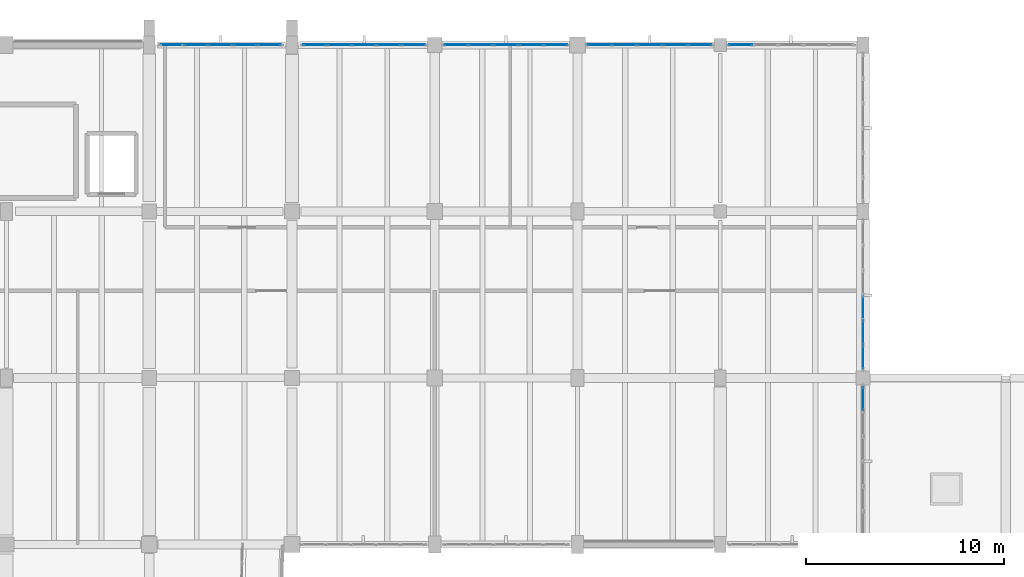
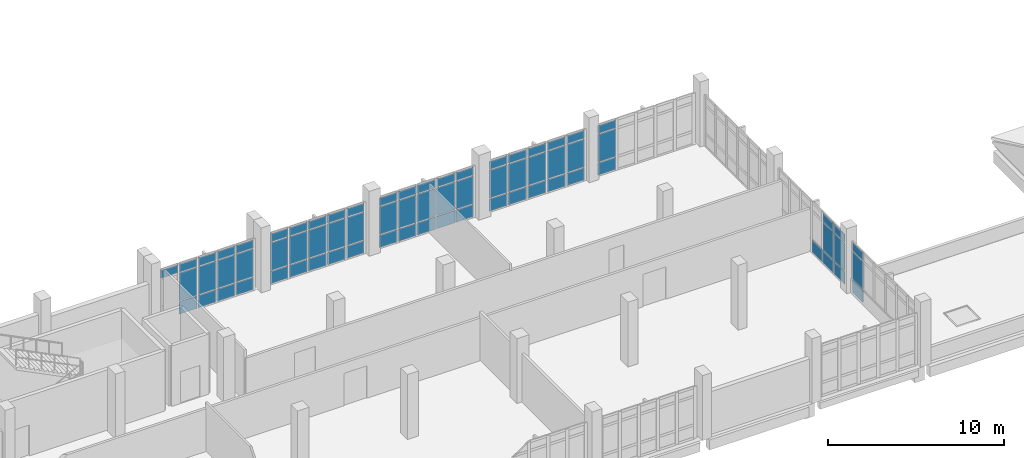
# One storey, part 102 of 124: 71 plates, 7 elements without a shape of their own.
"""IFC4 building model written with IfcOpenShell, lengths in metres."""

from ifc_helpers import new_model, si_unit, direction, frame, origin, origin_2d, place, context, subcontext, project, spatial, rectangle, extrude, material, layer, layer_set, type_object, element, aggregate, save


model = new_model("IFC4")

# Units and contexts
model_context = context("Model", 3, precision=1e-05, world=origin(), true_north=direction((0.0, 1.0)))
body_context = subcontext(model_context, "Body", "Model", "MODEL_VIEW")
ifc_project = project(units=[si_unit("LENGTHUNIT", "METRE"), si_unit("AREAUNIT", "SQUARE_METRE"), si_unit("VOLUMEUNIT", "CUBIC_METRE"), si_unit("PLANEANGLEUNIT", "RADIAN"), si_unit("MASSUNIT", "GRAM", prefix="KILO")], contexts=[model_context])

# Site, building, storey
site_placement = place(None, origin())
site = spatial("IfcSite", under=ifc_project, at=site_placement, CompositionType="ELEMENT")
building_placement = place(site_placement, origin())
building = spatial("IfcBuilding", under=site, at=building_placement, Name="Kalluvel Institute of Natural Sciences", CompositionType="ELEMENT")
storey_placement = place(building_placement, frame((0.0, 0.0, 9.89990234375)))
storey = spatial("IfcBuildingStorey", under=building, at=storey_placement, Name="L02", CompositionType="ELEMENT", Elevation=9.89990234375)

# Curtain wall, plates
ifc_material_1 = material(Name="Aluminium AW-6063 T6", Category="aluminium")
curtain_wall_type = type_object("IfcCurtainWallType", Name="CW-WET-45", PredefinedType="USERDEFINED", material=ifc_material_1)
curtain_wall_1_placement = place(storey_placement, origin())
curtain_wall_1 = element("IfcCurtainWall", 1, at=curtain_wall_1_placement, inside=storey, type_object=curtain_wall_type, Name="L02 Gothic lancet curtain wall CWA-L02-X793-Y1280", ObjectType="UNITISED LANCET FACADE", PredefinedType="USERDEFINED")
ifc_material_2 = material(Name="Solar-Control Low-E Laminated Glass", Category="glass")
ifc_layer = layer(ifc_material_2, 0.0400390625)
ifc_layer_set = layer_set([ifc_layer], Name="Solar-Control Low-E Laminated Glass")
plate_type = type_object("IfcPlateType", Name="CWP-SPN-40", PredefinedType="CURTAIN_PANEL", material=ifc_layer_set)
plate_1_placement = place(storey_placement, frame((79.9375, 128.0, 2.965087890625), z_axis=(0.0, 0.0, 1.0), x_axis=(1.0, 0.0, 0.0)))
plate_1 = element("IfcPlate", 2, at=plate_1_placement, type_object=plate_type, Name="CW-01 panel 1.3", PredefinedType="CURTAIN_PANEL", context=body_context, shape_type="SweptSolid", body=[
    extrude(rectangle(XDim=1.135009765625, YDim=0.0400390625, at=origin_2d()), origin(), (0.0, 0.0, 1.0), 0.544921875),
])
plate_2_placement = place(storey_placement, frame((81.159912109375, 128.0, 0.0703125), z_axis=(0.0, 0.0, 1.0), x_axis=(1.0, 0.0, 0.0)))
plate_2 = element("IfcPlate", 3, at=plate_2_placement, type_object=plate_type, Name="CW-01 panel 2.1", PredefinedType="CURTAIN_PANEL", context=body_context, shape_type="SweptSolid", body=[
    extrude(rectangle(XDim=1.169921875, YDim=0.0400390625, at=origin_2d()), origin(), (0.0, 0.0, 1.0), 0.844970703125),
])
plate_3_placement = place(storey_placement, frame((81.159912109375, 128.0, 0.9853515625), z_axis=(0.0, 0.0, 1.0), x_axis=(1.0, 0.0, 0.0)))
plate_3 = element("IfcPlate", 4, at=plate_3_placement, type_object=plate_type, Name="CW-01 panel 2.2", PredefinedType="CURTAIN_PANEL", context=body_context, shape_type="SweptSolid", body=[
    extrude(rectangle(XDim=1.169921875, YDim=0.0400390625, at=origin_2d()), origin(), (0.0, 0.0, 1.0), 1.909912109375),
])
plate_4_placement = place(storey_placement, frame((81.159912109375, 128.0, 2.965087890625), z_axis=(0.0, 0.0, 1.0), x_axis=(1.0, 0.0, 0.0)))
plate_4 = element("IfcPlate", 5, at=plate_4_placement, type_object=plate_type, Name="CW-01 panel 2.3", PredefinedType="CURTAIN_PANEL", context=body_context, shape_type="SweptSolid", body=[
    extrude(rectangle(XDim=1.169921875, YDim=0.0400390625, at=origin_2d()), origin(), (0.0, 0.0, 1.0), 0.544921875),
])
plate_5_placement = place(storey_placement, frame((82.39990234375, 128.0, 0.0703125), z_axis=(0.0, 0.0, 1.0), x_axis=(1.0, 0.0, 0.0)))
plate_5 = element("IfcPlate", 6, at=plate_5_placement, type_object=plate_type, Name="CW-01 panel 3.1", PredefinedType="CURTAIN_PANEL", context=body_context, shape_type="SweptSolid", body=[
    extrude(rectangle(XDim=1.169921875, YDim=0.0400390625, at=origin_2d()), origin(), (0.0, 0.0, 1.0), 0.844970703125),
])
plate_6_placement = place(storey_placement, frame((82.39990234375, 128.0, 0.9853515625), z_axis=(0.0, 0.0, 1.0), x_axis=(1.0, 0.0, 0.0)))
plate_6 = element("IfcPlate", 7, at=plate_6_placement, type_object=plate_type, Name="CW-01 panel 3.2", PredefinedType="CURTAIN_PANEL", context=body_context, shape_type="SweptSolid", body=[
    extrude(rectangle(XDim=1.169921875, YDim=0.0400390625, at=origin_2d()), origin(), (0.0, 0.0, 1.0), 1.909912109375),
])
plate_7_placement = place(storey_placement, frame((82.39990234375, 128.0, 2.965087890625), z_axis=(0.0, 0.0, 1.0), x_axis=(1.0, 0.0, 0.0)))
plate_7 = element("IfcPlate", 8, at=plate_7_placement, type_object=plate_type, Name="CW-01 panel 3.3", PredefinedType="CURTAIN_PANEL", context=body_context, shape_type="SweptSolid", body=[
    extrude(rectangle(XDim=1.169921875, YDim=0.0400390625, at=origin_2d()), origin(), (0.0, 0.0, 1.0), 0.544921875),
])
plate_8_placement = place(storey_placement, frame((83.639892578125, 128.0, 0.0703125), z_axis=(0.0, 0.0, 1.0), x_axis=(1.0, 0.0, 0.0)))
plate_8 = element("IfcPlate", 9, at=plate_8_placement, type_object=plate_type, Name="CW-01 panel 4.1", PredefinedType="CURTAIN_PANEL", context=body_context, shape_type="SweptSolid", body=[
    extrude(rectangle(XDim=1.169921875, YDim=0.0400390625, at=origin_2d()), origin(), (0.0, 0.0, 1.0), 0.844970703125),
])
plate_9_placement = place(storey_placement, frame((83.639892578125, 128.0, 0.9853515625), z_axis=(0.0, 0.0, 1.0), x_axis=(1.0, 0.0, 0.0)))
plate_9 = element("IfcPlate", 10, at=plate_9_placement, type_object=plate_type, Name="CW-01 panel 4.2", PredefinedType="CURTAIN_PANEL", context=body_context, shape_type="SweptSolid", body=[
    extrude(rectangle(XDim=1.169921875, YDim=0.0400390625, at=origin_2d()), origin(), (0.0, 0.0, 1.0), 1.909912109375),
])
plate_10_placement = place(storey_placement, frame((83.639892578125, 128.0, 2.965087890625), z_axis=(0.0, 0.0, 1.0), x_axis=(1.0, 0.0, 0.0)))
plate_10 = element("IfcPlate", 11, at=plate_10_placement, type_object=plate_type, Name="CW-01 panel 4.3", PredefinedType="CURTAIN_PANEL", context=body_context, shape_type="SweptSolid", body=[
    extrude(rectangle(XDim=1.169921875, YDim=0.0400390625, at=origin_2d()), origin(), (0.0, 0.0, 1.0), 0.544921875),
])
plate_11_placement = place(storey_placement, frame((84.862548828125, 128.0, 0.0703125), z_axis=(0.0, 0.0, 1.0), x_axis=(1.0, 0.0, 0.0)))
plate_11 = element("IfcPlate", 12, at=plate_11_placement, type_object=plate_type, Name="CW-01 panel 5.1", PredefinedType="CURTAIN_PANEL", context=body_context, shape_type="SweptSolid", body=[
    extrude(rectangle(XDim=1.135009765625, YDim=0.0400390625, at=origin_2d()), origin(), (0.0, 0.0, 1.0), 0.844970703125),
])
plate_12_placement = place(storey_placement, frame((84.862548828125, 128.0, 0.9853515625), z_axis=(0.0, 0.0, 1.0), x_axis=(1.0, 0.0, 0.0)))
plate_12 = element("IfcPlate", 13, at=plate_12_placement, type_object=plate_type, Name="CW-01 panel 5.2", PredefinedType="CURTAIN_PANEL", context=body_context, shape_type="SweptSolid", body=[
    extrude(rectangle(XDim=1.135009765625, YDim=0.0400390625, at=origin_2d()), origin(), (0.0, 0.0, 1.0), 1.909912109375),
])
plate_13_placement = place(storey_placement, frame((84.862548828125, 128.0, 2.965087890625), z_axis=(0.0, 0.0, 1.0), x_axis=(1.0, 0.0, 0.0)))
plate_13 = element("IfcPlate", 14, at=plate_13_placement, type_object=plate_type, Name="CW-01 panel 5.3", PredefinedType="CURTAIN_PANEL", context=body_context, shape_type="SweptSolid", body=[
    extrude(rectangle(XDim=1.135009765625, YDim=0.0400390625, at=origin_2d()), origin(), (0.0, 0.0, 1.0), 0.544921875),
])
aggregate(curtain_wall_1, [plate_1, plate_2, plate_3, plate_4, plate_5, plate_6, plate_7, plate_8, plate_9, plate_10, plate_11, plate_12, plate_13])

curtain_wall_2_placement = place(storey_placement, origin())
curtain_wall_2 = element("IfcCurtainWall", 15, at=curtain_wall_2_placement, inside=storey, type_object=curtain_wall_type, Name="L02 Gothic lancet curtain wall CWA-L02-X865-Y1280", ObjectType="UNITISED LANCET FACADE", PredefinedType="USERDEFINED")
plate_14_placement = place(storey_placement, frame((87.14501953125, 128.0, 0.0703125), z_axis=(0.0, 0.0, 1.0), x_axis=(1.0, 0.0, 0.0)))
plate_14 = element("IfcPlate", 16, at=plate_14_placement, type_object=plate_type, Name="CW-01 panel 1.1", PredefinedType="CURTAIN_PANEL", context=body_context, shape_type="SweptSolid", body=[
    extrude(rectangle(XDim=1.14990234375, YDim=0.0400390625, at=origin_2d()), origin(), (0.0, 0.0, 1.0), 0.844970703125),
])
plate_15_placement = place(storey_placement, frame((87.14501953125, 128.0, 0.9853515625), z_axis=(0.0, 0.0, 1.0), x_axis=(1.0, 0.0, 0.0)))
plate_15 = element("IfcPlate", 17, at=plate_15_placement, type_object=plate_type, Name="CW-01 panel 1.2", PredefinedType="CURTAIN_PANEL", context=body_context, shape_type="SweptSolid", body=[
    extrude(rectangle(XDim=1.14990234375, YDim=0.0400390625, at=origin_2d()), origin(), (0.0, 0.0, 1.0), 1.909912109375),
])
plate_16_placement = place(storey_placement, frame((87.14501953125, 128.0, 2.965087890625), z_axis=(0.0, 0.0, 1.0), x_axis=(1.0, 0.0, 0.0)))
plate_16 = element("IfcPlate", 18, at=plate_16_placement, type_object=plate_type, Name="CW-01 panel 1.3", PredefinedType="CURTAIN_PANEL", context=body_context, shape_type="SweptSolid", body=[
    extrude(rectangle(XDim=1.14990234375, YDim=0.0400390625, at=origin_2d()), origin(), (0.0, 0.0, 1.0), 0.544921875),
])
plate_17_placement = place(storey_placement, frame((88.382568359375, 128.0, 0.0703125), z_axis=(0.0, 0.0, 1.0), x_axis=(1.0, 0.0, 0.0)))
plate_17 = element("IfcPlate", 19, at=plate_17_placement, type_object=plate_type, Name="CW-01 panel 2.1", PredefinedType="CURTAIN_PANEL", context=body_context, shape_type="SweptSolid", body=[
    extrude(rectangle(XDim=1.18505859375, YDim=0.0400390625, at=origin_2d()), origin(), (0.0, 0.0, 1.0), 0.844970703125),
])
plate_18_placement = place(storey_placement, frame((88.382568359375, 128.0, 0.9853515625), z_axis=(0.0, 0.0, 1.0), x_axis=(1.0, 0.0, 0.0)))
plate_18 = element("IfcPlate", 20, at=plate_18_placement, type_object=plate_type, Name="CW-01 panel 2.2", PredefinedType="CURTAIN_PANEL", context=body_context, shape_type="SweptSolid", body=[
    extrude(rectangle(XDim=1.18505859375, YDim=0.0400390625, at=origin_2d()), origin(), (0.0, 0.0, 1.0), 1.909912109375),
])
plate_19_placement = place(storey_placement, frame((88.382568359375, 128.0, 2.965087890625), z_axis=(0.0, 0.0, 1.0), x_axis=(1.0, 0.0, 0.0)))
plate_19 = element("IfcPlate", 21, at=plate_19_placement, type_object=plate_type, Name="CW-01 panel 2.3", PredefinedType="CURTAIN_PANEL", context=body_context, shape_type="SweptSolid", body=[
    extrude(rectangle(XDim=1.18505859375, YDim=0.0400390625, at=origin_2d()), origin(), (0.0, 0.0, 1.0), 0.544921875),
])
plate_20_placement = place(storey_placement, frame((89.637451171875, 128.0, 0.0703125), z_axis=(0.0, 0.0, 1.0), x_axis=(1.0, 0.0, 0.0)))
plate_20 = element("IfcPlate", 22, at=plate_20_placement, type_object=plate_type, Name="CW-01 panel 3.1", PredefinedType="CURTAIN_PANEL", context=body_context, shape_type="SweptSolid", body=[
    extrude(rectangle(XDim=1.18505859375, YDim=0.0400390625, at=origin_2d()), origin(), (0.0, 0.0, 1.0), 0.844970703125),
])
plate_21_placement = place(storey_placement, frame((89.637451171875, 128.0, 0.9853515625), z_axis=(0.0, 0.0, 1.0), x_axis=(1.0, 0.0, 0.0)))
plate_21 = element("IfcPlate", 23, at=plate_21_placement, type_object=plate_type, Name="CW-01 panel 3.2", PredefinedType="CURTAIN_PANEL", context=body_context, shape_type="SweptSolid", body=[
    extrude(rectangle(XDim=1.18505859375, YDim=0.0400390625, at=origin_2d()), origin(), (0.0, 0.0, 1.0), 1.909912109375),
])
plate_22_placement = place(storey_placement, frame((89.637451171875, 128.0, 2.965087890625), z_axis=(0.0, 0.0, 1.0), x_axis=(1.0, 0.0, 0.0)))
plate_22 = element("IfcPlate", 24, at=plate_22_placement, type_object=plate_type, Name="CW-01 panel 3.3", PredefinedType="CURTAIN_PANEL", context=body_context, shape_type="SweptSolid", body=[
    extrude(rectangle(XDim=1.18505859375, YDim=0.0400390625, at=origin_2d()), origin(), (0.0, 0.0, 1.0), 0.544921875),
])
plate_23_placement = place(storey_placement, frame((90.892578125, 128.0, 0.0703125), z_axis=(0.0, 0.0, 1.0), x_axis=(1.0, 0.0, 0.0)))
plate_23 = element("IfcPlate", 25, at=plate_23_placement, type_object=plate_type, Name="CW-01 panel 4.1", PredefinedType="CURTAIN_PANEL", context=body_context, shape_type="SweptSolid", body=[
    extrude(rectangle(XDim=1.18505859375, YDim=0.0400390625, at=origin_2d()), origin(), (0.0, 0.0, 1.0), 0.844970703125),
])
plate_24_placement = place(storey_placement, frame((90.892578125, 128.0, 0.9853515625), z_axis=(0.0, 0.0, 1.0), x_axis=(1.0, 0.0, 0.0)))
plate_24 = element("IfcPlate", 26, at=plate_24_placement, type_object=plate_type, Name="CW-01 panel 4.2", PredefinedType="CURTAIN_PANEL", context=body_context, shape_type="SweptSolid", body=[
    extrude(rectangle(XDim=1.18505859375, YDim=0.0400390625, at=origin_2d()), origin(), (0.0, 0.0, 1.0), 1.909912109375),
])
plate_25_placement = place(storey_placement, frame((90.892578125, 128.0, 2.965087890625), z_axis=(0.0, 0.0, 1.0), x_axis=(1.0, 0.0, 0.0)))
plate_25 = element("IfcPlate", 27, at=plate_25_placement, type_object=plate_type, Name="CW-01 panel 4.3", PredefinedType="CURTAIN_PANEL", context=body_context, shape_type="SweptSolid", body=[
    extrude(rectangle(XDim=1.18505859375, YDim=0.0400390625, at=origin_2d()), origin(), (0.0, 0.0, 1.0), 0.544921875),
])
plate_26_placement = place(storey_placement, frame((92.1298828125, 128.0, 0.0703125), z_axis=(0.0, 0.0, 1.0), x_axis=(1.0, 0.0, 0.0)))
plate_26 = element("IfcPlate", 28, at=plate_26_placement, type_object=plate_type, Name="CW-01 panel 5.1", PredefinedType="CURTAIN_PANEL", context=body_context, shape_type="SweptSolid", body=[
    extrude(rectangle(XDim=1.14990234375, YDim=0.0400390625, at=origin_2d()), origin(), (0.0, 0.0, 1.0), 0.844970703125),
])
plate_27_placement = place(storey_placement, frame((92.1298828125, 128.0, 0.9853515625), z_axis=(0.0, 0.0, 1.0), x_axis=(1.0, 0.0, 0.0)))
plate_27 = element("IfcPlate", 29, at=plate_27_placement, type_object=plate_type, Name="CW-01 panel 5.2", PredefinedType="CURTAIN_PANEL", context=body_context, shape_type="SweptSolid", body=[
    extrude(rectangle(XDim=1.14990234375, YDim=0.0400390625, at=origin_2d()), origin(), (0.0, 0.0, 1.0), 1.909912109375),
])
plate_28_placement = place(storey_placement, frame((92.1298828125, 128.0, 2.965087890625), z_axis=(0.0, 0.0, 1.0), x_axis=(1.0, 0.0, 0.0)))
plate_28 = element("IfcPlate", 30, at=plate_28_placement, type_object=plate_type, Name="CW-01 panel 5.3", PredefinedType="CURTAIN_PANEL", context=body_context, shape_type="SweptSolid", body=[
    extrude(rectangle(XDim=1.14990234375, YDim=0.0400390625, at=origin_2d()), origin(), (0.0, 0.0, 1.0), 0.544921875),
])
aggregate(curtain_wall_2, [plate_14, plate_15, plate_16, plate_17, plate_18, plate_19, plate_20, plate_21, plate_22, plate_23, plate_24, plate_25, plate_26, plate_27, plate_28])

curtain_wall_3_placement = place(storey_placement, origin())
curtain_wall_3 = element("IfcCurtainWall", 31, at=curtain_wall_3_placement, inside=storey, type_object=curtain_wall_type, Name="L02 Gothic lancet curtain wall CWA-L02-X936-Y1280", ObjectType="UNITISED LANCET FACADE", PredefinedType="USERDEFINED")
plate_29_placement = place(storey_placement, frame((94.27490234375, 128.0, 0.0703125), z_axis=(0.0, 0.0, 1.0), x_axis=(1.0, 0.0, 0.0)))
plate_29 = element("IfcPlate", 32, at=plate_29_placement, type_object=plate_type, Name="CW-01 panel 1.1", PredefinedType="CURTAIN_PANEL", context=body_context, shape_type="SweptSolid", body=[
    extrude(rectangle(XDim=1.159912109375, YDim=0.0400390625, at=origin_2d()), origin(), (0.0, 0.0, 1.0), 0.844970703125),
])
plate_30_placement = place(storey_placement, frame((94.27490234375, 128.0, 0.9853515625), z_axis=(0.0, 0.0, 1.0), x_axis=(1.0, 0.0, 0.0)))
plate_30 = element("IfcPlate", 33, at=plate_30_placement, type_object=plate_type, Name="CW-01 panel 1.2", PredefinedType="CURTAIN_PANEL", context=body_context, shape_type="SweptSolid", body=[
    extrude(rectangle(XDim=1.159912109375, YDim=0.0400390625, at=origin_2d()), origin(), (0.0, 0.0, 1.0), 1.909912109375),
])
plate_31_placement = place(storey_placement, frame((94.27490234375, 128.0, 2.965087890625), z_axis=(0.0, 0.0, 1.0), x_axis=(1.0, 0.0, 0.0)))
plate_31 = element("IfcPlate", 34, at=plate_31_placement, type_object=plate_type, Name="CW-01 panel 1.3", PredefinedType="CURTAIN_PANEL", context=body_context, shape_type="SweptSolid", body=[
    extrude(rectangle(XDim=1.159912109375, YDim=0.0400390625, at=origin_2d()), origin(), (0.0, 0.0, 1.0), 0.544921875),
])
plate_32_placement = place(storey_placement, frame((95.5224609375, 128.0, 0.0703125), z_axis=(0.0, 0.0, 1.0), x_axis=(1.0, 0.0, 0.0)))
plate_32 = element("IfcPlate", 35, at=plate_32_placement, type_object=plate_type, Name="CW-01 panel 2.1", PredefinedType="CURTAIN_PANEL", context=body_context, shape_type="SweptSolid", body=[
    extrude(rectangle(XDim=1.195068359375, YDim=0.0400390625, at=origin_2d()), origin(), (0.0, 0.0, 1.0), 0.844970703125),
])
plate_33_placement = place(storey_placement, frame((95.5224609375, 128.0, 0.9853515625), z_axis=(0.0, 0.0, 1.0), x_axis=(1.0, 0.0, 0.0)))
plate_33 = element("IfcPlate", 36, at=plate_33_placement, type_object=plate_type, Name="CW-01 panel 2.2", PredefinedType="CURTAIN_PANEL", context=body_context, shape_type="SweptSolid", body=[
    extrude(rectangle(XDim=1.195068359375, YDim=0.0400390625, at=origin_2d()), origin(), (0.0, 0.0, 1.0), 1.909912109375),
])
plate_34_placement = place(storey_placement, frame((95.5224609375, 128.0, 2.965087890625), z_axis=(0.0, 0.0, 1.0), x_axis=(1.0, 0.0, 0.0)))
plate_34 = element("IfcPlate", 37, at=plate_34_placement, type_object=plate_type, Name="CW-01 panel 2.3", PredefinedType="CURTAIN_PANEL", context=body_context, shape_type="SweptSolid", body=[
    extrude(rectangle(XDim=1.195068359375, YDim=0.0400390625, at=origin_2d()), origin(), (0.0, 0.0, 1.0), 0.544921875),
])
plate_35_placement = place(storey_placement, frame((96.78759765625, 128.0, 0.0703125), z_axis=(0.0, 0.0, 1.0), x_axis=(1.0, 0.0, 0.0)))
plate_35 = element("IfcPlate", 38, at=plate_35_placement, type_object=plate_type, Name="CW-01 panel 3.1", PredefinedType="CURTAIN_PANEL", context=body_context, shape_type="SweptSolid", body=[
    extrude(rectangle(XDim=1.195068359375, YDim=0.0400390625, at=origin_2d()), origin(), (0.0, 0.0, 1.0), 0.844970703125),
])
plate_36_placement = place(storey_placement, frame((96.78759765625, 128.0, 0.9853515625), z_axis=(0.0, 0.0, 1.0), x_axis=(1.0, 0.0, 0.0)))
plate_36 = element("IfcPlate", 39, at=plate_36_placement, type_object=plate_type, Name="CW-01 panel 3.2", PredefinedType="CURTAIN_PANEL", context=body_context, shape_type="SweptSolid", body=[
    extrude(rectangle(XDim=1.195068359375, YDim=0.0400390625, at=origin_2d()), origin(), (0.0, 0.0, 1.0), 1.909912109375),
])
plate_37_placement = place(storey_placement, frame((96.78759765625, 128.0, 2.965087890625), z_axis=(0.0, 0.0, 1.0), x_axis=(1.0, 0.0, 0.0)))
plate_37 = element("IfcPlate", 40, at=plate_37_placement, type_object=plate_type, Name="CW-01 panel 3.3", PredefinedType="CURTAIN_PANEL", context=body_context, shape_type="SweptSolid", body=[
    extrude(rectangle(XDim=1.195068359375, YDim=0.0400390625, at=origin_2d()), origin(), (0.0, 0.0, 1.0), 0.544921875),
])
plate_38_placement = place(storey_placement, frame((98.052490234375, 128.0, 0.0703125), z_axis=(0.0, 0.0, 1.0), x_axis=(1.0, 0.0, 0.0)))
plate_38 = element("IfcPlate", 41, at=plate_38_placement, type_object=plate_type, Name="CW-01 panel 4.1", PredefinedType="CURTAIN_PANEL", context=body_context, shape_type="SweptSolid", body=[
    extrude(rectangle(XDim=1.195068359375, YDim=0.0400390625, at=origin_2d()), origin(), (0.0, 0.0, 1.0), 0.844970703125),
])
plate_39_placement = place(storey_placement, frame((98.052490234375, 128.0, 0.9853515625), z_axis=(0.0, 0.0, 1.0), x_axis=(1.0, 0.0, 0.0)))
plate_39 = element("IfcPlate", 42, at=plate_39_placement, type_object=plate_type, Name="CW-01 panel 4.2", PredefinedType="CURTAIN_PANEL", context=body_context, shape_type="SweptSolid", body=[
    extrude(rectangle(XDim=1.195068359375, YDim=0.0400390625, at=origin_2d()), origin(), (0.0, 0.0, 1.0), 1.909912109375),
])
plate_40_placement = place(storey_placement, frame((98.052490234375, 128.0, 2.965087890625), z_axis=(0.0, 0.0, 1.0), x_axis=(1.0, 0.0, 0.0)))
plate_40 = element("IfcPlate", 43, at=plate_40_placement, type_object=plate_type, Name="CW-01 panel 4.3", PredefinedType="CURTAIN_PANEL", context=body_context, shape_type="SweptSolid", body=[
    extrude(rectangle(XDim=1.195068359375, YDim=0.0400390625, at=origin_2d()), origin(), (0.0, 0.0, 1.0), 0.544921875),
])
plate_41_placement = place(storey_placement, frame((99.300048828125, 128.0, 0.0703125), z_axis=(0.0, 0.0, 1.0), x_axis=(1.0, 0.0, 0.0)))
plate_41 = element("IfcPlate", 44, at=plate_41_placement, type_object=plate_type, Name="CW-01 panel 5.1", PredefinedType="CURTAIN_PANEL", context=body_context, shape_type="SweptSolid", body=[
    extrude(rectangle(XDim=1.159912109375, YDim=0.0400390625, at=origin_2d()), origin(), (0.0, 0.0, 1.0), 0.844970703125),
])
plate_42_placement = place(storey_placement, frame((99.300048828125, 128.0, 0.9853515625), z_axis=(0.0, 0.0, 1.0), x_axis=(1.0, 0.0, 0.0)))
plate_42 = element("IfcPlate", 45, at=plate_42_placement, type_object=plate_type, Name="CW-01 panel 5.2", PredefinedType="CURTAIN_PANEL", context=body_context, shape_type="SweptSolid", body=[
    extrude(rectangle(XDim=1.159912109375, YDim=0.0400390625, at=origin_2d()), origin(), (0.0, 0.0, 1.0), 1.909912109375),
])
plate_43_placement = place(storey_placement, frame((99.300048828125, 128.0, 2.965087890625), z_axis=(0.0, 0.0, 1.0), x_axis=(1.0, 0.0, 0.0)))
plate_43 = element("IfcPlate", 46, at=plate_43_placement, type_object=plate_type, Name="CW-01 panel 5.3", PredefinedType="CURTAIN_PANEL", context=body_context, shape_type="SweptSolid", body=[
    extrude(rectangle(XDim=1.159912109375, YDim=0.0400390625, at=origin_2d()), origin(), (0.0, 0.0, 1.0), 0.544921875),
])
aggregate(curtain_wall_3, [plate_29, plate_30, plate_31, plate_32, plate_33, plate_34, plate_35, plate_36, plate_37, plate_38, plate_39, plate_40, plate_41, plate_42, plate_43])

curtain_wall_4_placement = place(storey_placement, origin())
curtain_wall_4 = element("IfcCurtainWall", 47, at=curtain_wall_4_placement, inside=storey, type_object=curtain_wall_type, Name="L02 Gothic lancet curtain wall CWA-L02-X1008-Y1280", ObjectType="UNITISED LANCET FACADE", PredefinedType="USERDEFINED")
plate_44_placement = place(storey_placement, frame((101.5048828125, 128.0, 0.0703125), z_axis=(0.0, 0.0, 1.0), x_axis=(1.0, 0.0, 0.0)))
plate_44 = element("IfcPlate", 48, at=plate_44_placement, type_object=plate_type, Name="CW-01 panel 1.1", PredefinedType="CURTAIN_PANEL", context=body_context, shape_type="SweptSolid", body=[
    extrude(rectangle(XDim=1.169921875, YDim=0.0400390625, at=origin_2d()), origin(), (0.0, 0.0, 1.0), 0.844970703125),
])
plate_45_placement = place(storey_placement, frame((101.5048828125, 128.0, 0.9853515625), z_axis=(0.0, 0.0, 1.0), x_axis=(1.0, 0.0, 0.0)))
plate_45 = element("IfcPlate", 49, at=plate_45_placement, type_object=plate_type, Name="CW-01 panel 1.2", PredefinedType="CURTAIN_PANEL", context=body_context, shape_type="SweptSolid", body=[
    extrude(rectangle(XDim=1.169921875, YDim=0.0400390625, at=origin_2d()), origin(), (0.0, 0.0, 1.0), 1.909912109375),
])
plate_46_placement = place(storey_placement, frame((101.5048828125, 128.0, 2.965087890625), z_axis=(0.0, 0.0, 1.0), x_axis=(1.0, 0.0, 0.0)))
plate_46 = element("IfcPlate", 50, at=plate_46_placement, type_object=plate_type, Name="CW-01 panel 1.3", PredefinedType="CURTAIN_PANEL", context=body_context, shape_type="SweptSolid", body=[
    extrude(rectangle(XDim=1.169921875, YDim=0.0400390625, at=origin_2d()), origin(), (0.0, 0.0, 1.0), 0.544921875),
])
plate_47_placement = place(storey_placement, frame((102.762451171875, 128.0, 0.0703125), z_axis=(0.0, 0.0, 1.0), x_axis=(1.0, 0.0, 0.0)))
plate_47 = element("IfcPlate", 51, at=plate_47_placement, type_object=plate_type, Name="CW-01 panel 2.1", PredefinedType="CURTAIN_PANEL", context=body_context, shape_type="SweptSolid", body=[
    extrude(rectangle(XDim=1.205078125, YDim=0.0400390625, at=origin_2d()), origin(), (0.0, 0.0, 1.0), 0.844970703125),
])
plate_48_placement = place(storey_placement, frame((102.762451171875, 128.0, 0.9853515625), z_axis=(0.0, 0.0, 1.0), x_axis=(1.0, 0.0, 0.0)))
plate_48 = element("IfcPlate", 52, at=plate_48_placement, type_object=plate_type, Name="CW-01 panel 2.2", PredefinedType="CURTAIN_PANEL", context=body_context, shape_type="SweptSolid", body=[
    extrude(rectangle(XDim=1.205078125, YDim=0.0400390625, at=origin_2d()), origin(), (0.0, 0.0, 1.0), 1.909912109375),
])
plate_49_placement = place(storey_placement, frame((102.762451171875, 128.0, 2.965087890625), z_axis=(0.0, 0.0, 1.0), x_axis=(1.0, 0.0, 0.0)))
plate_49 = element("IfcPlate", 53, at=plate_49_placement, type_object=plate_type, Name="CW-01 panel 2.3", PredefinedType="CURTAIN_PANEL", context=body_context, shape_type="SweptSolid", body=[
    extrude(rectangle(XDim=1.205078125, YDim=0.0400390625, at=origin_2d()), origin(), (0.0, 0.0, 1.0), 0.544921875),
])
plate_50_placement = place(storey_placement, frame((104.03759765625, 128.0, 0.0703125), z_axis=(0.0, 0.0, 1.0), x_axis=(1.0, 0.0, 0.0)))
plate_50 = element("IfcPlate", 54, at=plate_50_placement, type_object=plate_type, Name="CW-01 panel 3.1", PredefinedType="CURTAIN_PANEL", context=body_context, shape_type="SweptSolid", body=[
    extrude(rectangle(XDim=1.205078125, YDim=0.0400390625, at=origin_2d()), origin(), (0.0, 0.0, 1.0), 0.844970703125),
])
plate_51_placement = place(storey_placement, frame((104.03759765625, 128.0, 0.9853515625), z_axis=(0.0, 0.0, 1.0), x_axis=(1.0, 0.0, 0.0)))
plate_51 = element("IfcPlate", 55, at=plate_51_placement, type_object=plate_type, Name="CW-01 panel 3.2", PredefinedType="CURTAIN_PANEL", context=body_context, shape_type="SweptSolid", body=[
    extrude(rectangle(XDim=1.205078125, YDim=0.0400390625, at=origin_2d()), origin(), (0.0, 0.0, 1.0), 1.909912109375),
])
plate_52_placement = place(storey_placement, frame((104.03759765625, 128.0, 2.965087890625), z_axis=(0.0, 0.0, 1.0), x_axis=(1.0, 0.0, 0.0)))
plate_52 = element("IfcPlate", 56, at=plate_52_placement, type_object=plate_type, Name="CW-01 panel 3.3", PredefinedType="CURTAIN_PANEL", context=body_context, shape_type="SweptSolid", body=[
    extrude(rectangle(XDim=1.205078125, YDim=0.0400390625, at=origin_2d()), origin(), (0.0, 0.0, 1.0), 0.544921875),
])
plate_53_placement = place(storey_placement, frame((105.3125, 128.0, 0.0703125), z_axis=(0.0, 0.0, 1.0), x_axis=(1.0, 0.0, 0.0)))
plate_53 = element("IfcPlate", 57, at=plate_53_placement, type_object=plate_type, Name="CW-01 panel 4.1", PredefinedType="CURTAIN_PANEL", context=body_context, shape_type="SweptSolid", body=[
    extrude(rectangle(XDim=1.205078125, YDim=0.0400390625, at=origin_2d()), origin(), (0.0, 0.0, 1.0), 0.844970703125),
])
plate_54_placement = place(storey_placement, frame((105.3125, 128.0, 0.9853515625), z_axis=(0.0, 0.0, 1.0), x_axis=(1.0, 0.0, 0.0)))
plate_54 = element("IfcPlate", 58, at=plate_54_placement, type_object=plate_type, Name="CW-01 panel 4.2", PredefinedType="CURTAIN_PANEL", context=body_context, shape_type="SweptSolid", body=[
    extrude(rectangle(XDim=1.205078125, YDim=0.0400390625, at=origin_2d()), origin(), (0.0, 0.0, 1.0), 1.909912109375),
])
plate_55_placement = place(storey_placement, frame((105.3125, 128.0, 2.965087890625), z_axis=(0.0, 0.0, 1.0), x_axis=(1.0, 0.0, 0.0)))
plate_55 = element("IfcPlate", 59, at=plate_55_placement, type_object=plate_type, Name="CW-01 panel 4.3", PredefinedType="CURTAIN_PANEL", context=body_context, shape_type="SweptSolid", body=[
    extrude(rectangle(XDim=1.205078125, YDim=0.0400390625, at=origin_2d()), origin(), (0.0, 0.0, 1.0), 0.544921875),
])
plate_56_placement = place(storey_placement, frame((106.570068359375, 128.0, 0.0703125), z_axis=(0.0, 0.0, 1.0), x_axis=(1.0, 0.0, 0.0)))
plate_56 = element("IfcPlate", 60, at=plate_56_placement, type_object=plate_type, Name="CW-01 panel 5.1", PredefinedType="CURTAIN_PANEL", context=body_context, shape_type="SweptSolid", body=[
    extrude(rectangle(XDim=1.169921875, YDim=0.0400390625, at=origin_2d()), origin(), (0.0, 0.0, 1.0), 0.844970703125),
])
plate_57_placement = place(storey_placement, frame((106.570068359375, 128.0, 0.9853515625), z_axis=(0.0, 0.0, 1.0), x_axis=(1.0, 0.0, 0.0)))
plate_57 = element("IfcPlate", 61, at=plate_57_placement, type_object=plate_type, Name="CW-01 panel 5.2", PredefinedType="CURTAIN_PANEL", context=body_context, shape_type="SweptSolid", body=[
    extrude(rectangle(XDim=1.169921875, YDim=0.0400390625, at=origin_2d()), origin(), (0.0, 0.0, 1.0), 1.909912109375),
])
plate_58_placement = place(storey_placement, frame((106.570068359375, 128.0, 2.965087890625), z_axis=(0.0, 0.0, 1.0), x_axis=(1.0, 0.0, 0.0)))
plate_58 = element("IfcPlate", 62, at=plate_58_placement, type_object=plate_type, Name="CW-01 panel 5.3", PredefinedType="CURTAIN_PANEL", context=body_context, shape_type="SweptSolid", body=[
    extrude(rectangle(XDim=1.169921875, YDim=0.0400390625, at=origin_2d()), origin(), (0.0, 0.0, 1.0), 0.544921875),
])
aggregate(curtain_wall_4, [plate_44, plate_45, plate_46, plate_47, plate_48, plate_49, plate_50, plate_51, plate_52, plate_53, plate_54, plate_55, plate_56, plate_57, plate_58])

curtain_wall_5_placement = place(storey_placement, origin())
curtain_wall_5 = element("IfcCurtainWall", 63, at=curtain_wall_5_placement, inside=storey, type_object=curtain_wall_type, Name="L02 Gothic lancet curtain wall CWA-L02-X1080-Y1280", ObjectType="UNITISED LANCET FACADE", PredefinedType="USERDEFINED")
plate_59_placement = place(storey_placement, frame((108.6298828125, 128.0, 0.0703125), z_axis=(0.0, 0.0, 1.0), x_axis=(1.0, 0.0, 0.0)))
plate_59 = element("IfcPlate", 64, at=plate_59_placement, type_object=plate_type, Name="CW-01 panel 1.1", PredefinedType="CURTAIN_PANEL", context=body_context, shape_type="SweptSolid", body=[
    extrude(rectangle(XDim=1.169921875, YDim=0.0400390625, at=origin_2d()), origin(), (0.0, 0.0, 1.0), 0.844970703125),
])
plate_60_placement = place(storey_placement, frame((108.6298828125, 128.0, 0.9853515625), z_axis=(0.0, 0.0, 1.0), x_axis=(1.0, 0.0, 0.0)))
plate_60 = element("IfcPlate", 65, at=plate_60_placement, type_object=plate_type, Name="CW-01 panel 1.2", PredefinedType="CURTAIN_PANEL", context=body_context, shape_type="SweptSolid", body=[
    extrude(rectangle(XDim=1.169921875, YDim=0.0400390625, at=origin_2d()), origin(), (0.0, 0.0, 1.0), 1.909912109375),
])
plate_61_placement = place(storey_placement, frame((108.6298828125, 128.0, 2.965087890625), z_axis=(0.0, 0.0, 1.0), x_axis=(1.0, 0.0, 0.0)))
plate_61 = element("IfcPlate", 66, at=plate_61_placement, type_object=plate_type, Name="CW-01 panel 1.3", PredefinedType="CURTAIN_PANEL", context=body_context, shape_type="SweptSolid", body=[
    extrude(rectangle(XDim=1.169921875, YDim=0.0400390625, at=origin_2d()), origin(), (0.0, 0.0, 1.0), 0.544921875),
])
aggregate(curtain_wall_5, [plate_59, plate_60, plate_61])

curtain_wall_6_placement = place(storey_placement, origin())
curtain_wall_6 = element("IfcCurtainWall", 67, at=curtain_wall_6_placement, inside=storey, type_object=curtain_wall_type, Name="L02 Gothic lancet curtain wall CWA-L02-X1148-Y1032", ObjectType="UNITISED LANCET FACADE", PredefinedType="USERDEFINED")
plate_62_placement = place(storey_placement, frame((114.800048828125, 110.149169921875, 0.0703125), z_axis=(0.0, 0.0, 1.0), x_axis=(0.0, 1.0, 0.0)))
plate_62 = element("IfcPlate", 68, at=plate_62_placement, type_object=plate_type, Name="CW-01 panel 6.1", PredefinedType="CURTAIN_PANEL", context=body_context, shape_type="SweptSolid", body=[
    extrude(rectangle(XDim=1.16162109375, YDim=0.0400390625, at=origin_2d()), origin(), (0.0, 0.0, 1.0), 0.844970703125),
])
plate_63_placement = place(storey_placement, frame((114.800048828125, 110.149169921875, 0.9853515625), z_axis=(0.0, 0.0, 1.0), x_axis=(0.0, 1.0, 0.0)))
plate_63 = element("IfcPlate", 69, at=plate_63_placement, type_object=plate_type, Name="CW-01 panel 6.2", PredefinedType="CURTAIN_PANEL", context=body_context, shape_type="SweptSolid", body=[
    extrude(rectangle(XDim=1.16162109375, YDim=0.0400390625, at=origin_2d()), origin(), (0.0, 0.0, 1.0), 1.909912109375),
])
plate_64_placement = place(storey_placement, frame((114.800048828125, 110.149169921875, 2.965087890625), z_axis=(0.0, 0.0, 1.0), x_axis=(0.0, 1.0, 0.0)))
plate_64 = element("IfcPlate", 70, at=plate_64_placement, type_object=plate_type, Name="CW-01 panel 6.3", PredefinedType="CURTAIN_PANEL", context=body_context, shape_type="SweptSolid", body=[
    extrude(rectangle(XDim=1.16162109375, YDim=0.0400390625, at=origin_2d()), origin(), (0.0, 0.0, 1.0), 0.544921875),
])
aggregate(curtain_wall_6, [plate_62, plate_63, plate_64])

curtain_wall_7_placement = place(storey_placement, origin())
curtain_wall_7 = element("IfcCurtainWall", 71, at=curtain_wall_7_placement, inside=storey, type_object=curtain_wall_type, Name="L02 Gothic lancet curtain wall CWA-L02-X1148-Y1116", ObjectType="UNITISED LANCET FACADE", PredefinedType="USERDEFINED")
plate_65_placement = place(storey_placement, frame((114.800048828125, 112.24658203125, 0.0703125), z_axis=(0.0, 0.0, 1.0), x_axis=(0.0, 1.0, 0.0)))
plate_65 = element("IfcPlate", 72, at=plate_65_placement, type_object=plate_type, Name="CW-01 panel 1.1", PredefinedType="CURTAIN_PANEL", context=body_context, shape_type="SweptSolid", body=[
    extrude(rectangle(XDim=1.1533203125, YDim=0.0400390625, at=origin_2d()), origin(), (0.0, 0.0, 1.0), 0.844970703125),
])
plate_66_placement = place(storey_placement, frame((114.800048828125, 112.24658203125, 0.9853515625), z_axis=(0.0, 0.0, 1.0), x_axis=(0.0, 1.0, 0.0)))
plate_66 = element("IfcPlate", 73, at=plate_66_placement, type_object=plate_type, Name="CW-01 panel 1.2", PredefinedType="CURTAIN_PANEL", context=body_context, shape_type="SweptSolid", body=[
    extrude(rectangle(XDim=1.1533203125, YDim=0.0400390625, at=origin_2d()), origin(), (0.0, 0.0, 1.0), 1.909912109375),
])
plate_67_placement = place(storey_placement, frame((114.800048828125, 112.24658203125, 2.965087890625), z_axis=(0.0, 0.0, 1.0), x_axis=(0.0, 1.0, 0.0)))
plate_67 = element("IfcPlate", 74, at=plate_67_placement, type_object=plate_type, Name="CW-01 panel 1.3", PredefinedType="CURTAIN_PANEL", context=body_context, shape_type="SweptSolid", body=[
    extrude(rectangle(XDim=1.1533203125, YDim=0.0400390625, at=origin_2d()), origin(), (0.0, 0.0, 1.0), 0.544921875),
])
plate_68_placement = place(storey_placement, frame((114.800048828125, 113.487548828125, 0.0703125), z_axis=(0.0, 0.0, 1.0), x_axis=(0.0, 1.0, 0.0)))
plate_68 = element("IfcPlate", 75, at=plate_68_placement, type_object=plate_type, Name="CW-01 panel 2.1", PredefinedType="CURTAIN_PANEL", context=body_context, shape_type="SweptSolid", body=[
    extrude(rectangle(XDim=1.188232421875, YDim=0.0400390625, at=origin_2d()), origin(), (0.0, 0.0, 1.0), 0.844970703125),
])
plate_69_placement = place(storey_placement, frame((114.800048828125, 113.487548828125, 0.9853515625), z_axis=(0.0, 0.0, 1.0), x_axis=(0.0, 1.0, 0.0)))
plate_69 = element("IfcPlate", 76, at=plate_69_placement, type_object=plate_type, Name="CW-01 panel 2.2", PredefinedType="CURTAIN_PANEL", context=body_context, shape_type="SweptSolid", body=[
    extrude(rectangle(XDim=1.188232421875, YDim=0.0400390625, at=origin_2d()), origin(), (0.0, 0.0, 1.0), 1.909912109375),
])
plate_70_placement = place(storey_placement, frame((114.800048828125, 113.487548828125, 2.965087890625), z_axis=(0.0, 0.0, 1.0), x_axis=(0.0, 1.0, 0.0)))
plate_70 = element("IfcPlate", 77, at=plate_70_placement, type_object=plate_type, Name="CW-01 panel 2.3", PredefinedType="CURTAIN_PANEL", context=body_context, shape_type="SweptSolid", body=[
    extrude(rectangle(XDim=1.188232421875, YDim=0.0400390625, at=origin_2d()), origin(), (0.0, 0.0, 1.0), 0.544921875),
])
plate_71_placement = place(storey_placement, frame((114.800048828125, 114.745849609375, 0.0703125), z_axis=(0.0, 0.0, 1.0), x_axis=(0.0, 1.0, 0.0)))
plate_71 = element("IfcPlate", 78, at=plate_71_placement, type_object=plate_type, Name="CW-01 panel 3.1", PredefinedType="CURTAIN_PANEL", context=body_context, shape_type="SweptSolid", body=[
    extrude(rectangle(XDim=1.188232421875, YDim=0.0400390625, at=origin_2d()), origin(), (0.0, 0.0, 1.0), 0.844970703125),
])
aggregate(curtain_wall_7, [plate_65, plate_66, plate_67, plate_68, plate_69, plate_70, plate_71])

save(model, "model.ifc")
